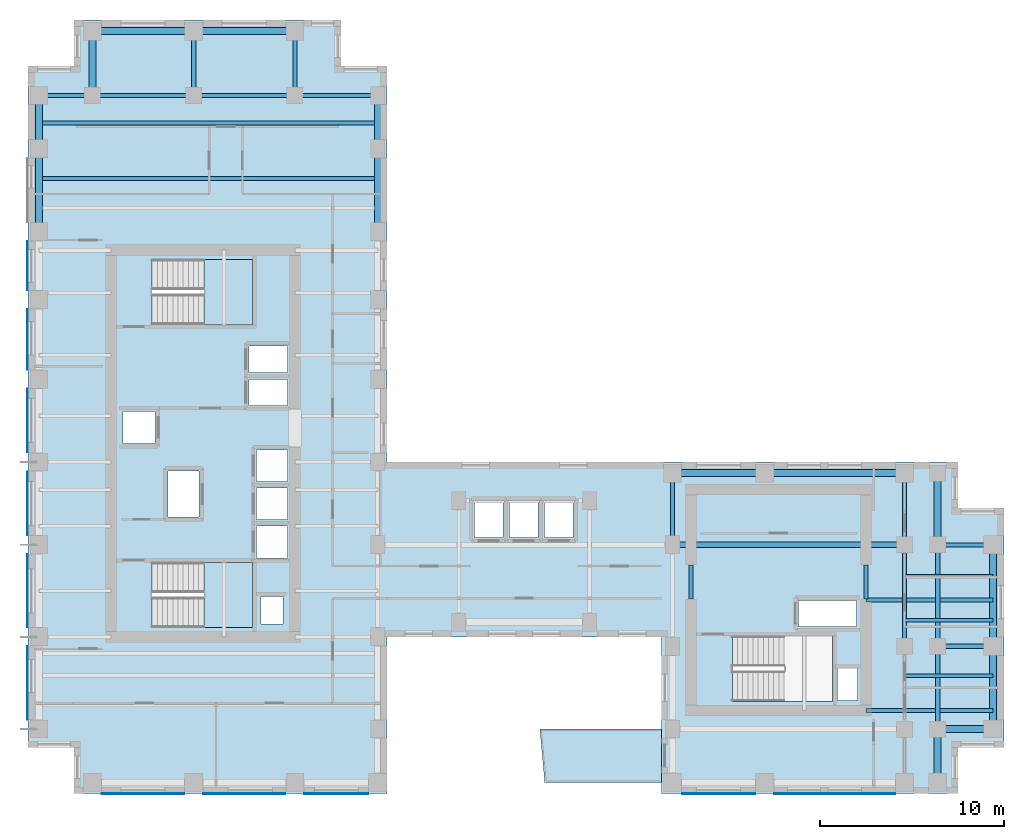
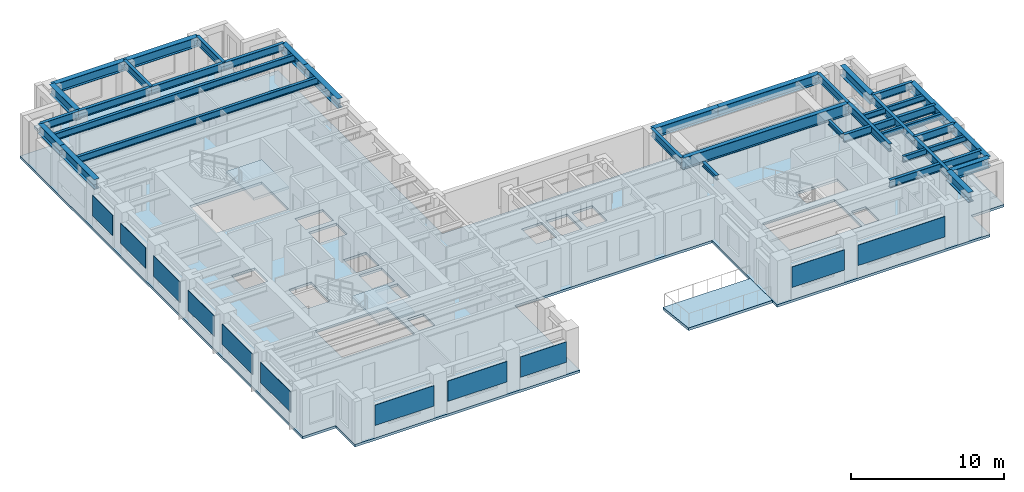
# One storey, part 2 of 12: 37 beams, 11 plates, 4 slabs, 2 elements without a shape of their own.
"""IFC4 building model written with IfcOpenShell, lengths in metres."""

import ifcopenshell
import ifcopenshell.guid

model = None  # the IFC model being written
_history = None  # IfcOwnerHistory: only IFC2X3 demands one
_inside = {}  # id of a spatial element -> (the spatial element, [elements in it])
_under = {}  # id of a project, library or spatial element -> (it, [spatial elements below it])
_declared = {}  # id of a project -> (the project, [libraries it declares])
_typed = {}  # id of a type object -> (the type object, [elements of that type])
_made_of = {}  # id of a material, layer set ... -> (it, [elements and type objects made of it])


def new_model(schema):
    """Start an empty IFC model of exactly this schema.

    Asked for "IFC4X3", IfcOpenShell would pick the latest addendum, in which some entities
    have other attributes; the version numbers below select the first issue.
    IFC2X3 requires an IfcOwnerHistory on every rooted entity: one is made here for all.
    """
    global model, _history
    if schema == "IFC4X3":
        model = ifcopenshell.file(schema_version=(4, 3, 0, 0))
    else:
        model = ifcopenshell.file(schema=schema)
    _inside.clear()
    _under.clear()
    _declared.clear()
    _typed.clear()
    _made_of.clear()
    _history = None
    if model.schema == "IFC2X3":
        org = make("IfcOrganization", Name="unknown")
        user = make(
            "IfcPersonAndOrganization",
            ThePerson=make("IfcPerson", FamilyName="unknown"),
            TheOrganization=org,
        )
        app = make(
            "IfcApplication",
            ApplicationDeveloper=org,
            Version="unknown",
            ApplicationFullName="unknown",
            ApplicationIdentifier="unknown",
        )
        _history = make(
            "IfcOwnerHistory",
            OwningUser=user,
            OwningApplication=app,
            ChangeAction="ADDED",
            CreationDate=0,
        )
    return model


def make(cls, **values):
    """One entity of the class cls with the attributes given. An attribute that is None is left unset."""
    return model.create_entity(
        cls, **{name: value for name, value in values.items() if value is not None}
    )


def rooted(cls, **values):
    """An entity with a GlobalId (a new one), such as an element, a storey or a relation."""
    return make(cls, GlobalId=ifcopenshell.guid.new(), OwnerHistory=_history, **values)


def si_unit(unit_type, name, prefix=None):
    """IfcSIUnit, for example si_unit("LENGTHUNIT", "METRE", prefix="MILLI")."""
    return make("IfcSIUnit", UnitType=unit_type, Prefix=prefix, Name=name)


def assignment(units):
    """IfcUnitAssignment: the units of a project."""
    return None if units is None else make("IfcUnitAssignment", Units=units)


def point(xyz):
    """IfcCartesianPoint."""
    return None if xyz is None else make("IfcCartesianPoint", Coordinates=xyz)


def direction(xyz):
    """IfcDirection."""
    return None if xyz is None else make("IfcDirection", DirectionRatios=xyz)


def frame(location, z_axis=None, x_axis=None):
    """IfcAxis2Placement3D, a coordinate frame: its origin and axes. An axis left out is left unset."""
    return make(
        "IfcAxis2Placement3D",
        Location=point(location),
        Axis=direction(z_axis),
        RefDirection=direction(x_axis),
    )


def frame_2d(location, x_axis=None):
    """IfcAxis2Placement2D, a coordinate frame in the plane: its origin and x axis."""
    return make(
        "IfcAxis2Placement2D", Location=point(location), RefDirection=direction(x_axis)
    )


def origin():
    """The frame at (0, 0, 0) with its axes left unset."""
    return frame((0.0, 0.0, 0.0))


def origin_2d():
    """The frame at (0, 0) in the plane with its x axis left unset."""
    return frame_2d((0.0, 0.0))


def place(relative_to, where):
    """IfcLocalPlacement: puts the frame where relative to a parent placement (None: the world)."""
    return make(
        "IfcLocalPlacement", PlacementRelTo=relative_to, RelativePlacement=where
    )


def context(
    kind, dimensions, precision=None, world=None, true_north=None, identifier=None
):
    """IfcGeometricRepresentationContext, for example the 3D "Model" context."""
    return make(
        "IfcGeometricRepresentationContext",
        ContextIdentifier=identifier,
        ContextType=kind,
        CoordinateSpaceDimension=dimensions,
        Precision=precision,
        WorldCoordinateSystem=world,
        TrueNorth=true_north,
    )


def subcontext(parent, identifier, kind, view, scale=None):
    """IfcGeometricRepresentationSubContext, for example "Body" below "Model"."""
    return make(
        "IfcGeometricRepresentationSubContext",
        ContextIdentifier=identifier,
        ContextType=kind,
        ParentContext=parent,
        TargetScale=scale,
        TargetView=view,
    )


def project(units=None, contexts=None):
    """IfcProject with its units and contexts."""
    return rooted(
        "IfcProject",
        Name="project",
        RepresentationContexts=contexts,
        UnitsInContext=assignment(units),
    )


def spatial(cls, under=None, at=None, **own):
    """A site, building, storey or space (cls), placed at a placement, below another one or the project."""
    s = rooted(cls, ObjectPlacement=at, **own)
    if under is not None:
        _under.setdefault(under.id(), (under, []))[1].append(s)
    return s


def polyline(points):
    """IfcPolyline through the points."""
    return make("IfcPolyline", Points=[point(p) for p in points])


def profile(cls, at=None, kind="AREA", **sizes):
    """A parametric profile (cls). Its sizes go by their IFC names, for example OverallWidth=200.0."""
    return make(cls, ProfileType=kind, Position=at, **sizes)


def rectangle(**sizes):
    """IfcRectangleProfileDef."""
    return profile("IfcRectangleProfileDef", **sizes)


def i_section(**sizes):
    """IfcIShapeProfileDef."""
    return profile("IfcIShapeProfileDef", **sizes)


def outline(outer, holes=None, kind="AREA"):
    """IfcArbitraryClosedProfileDef: a profile drawn as a closed curve; with holes, ...WithVoids."""
    if holes is None:
        return make("IfcArbitraryClosedProfileDef", ProfileType=kind, OuterCurve=outer)
    return make(
        "IfcArbitraryProfileDefWithVoids",
        ProfileType=kind,
        OuterCurve=outer,
        InnerCurves=holes,
    )


def extrude(swept, where, along, depth):
    """IfcExtrudedAreaSolid: the profile swept, set in the frame where, extruded along a direction by depth."""
    return make(
        "IfcExtrudedAreaSolid",
        SweptArea=swept,
        Position=where,
        ExtrudedDirection=direction(along),
        Depth=depth,
    )


def shape(context_of_items, identifier, shape_type, items):
    """IfcShapeRepresentation: the items that make up one representation, for example the "Body"."""
    return make(
        "IfcShapeRepresentation",
        ContextOfItems=context_of_items,
        RepresentationIdentifier=identifier,
        RepresentationType=shape_type,
        Items=items,
    )


def source(mapping_origin, context_of_items, identifier, shape_type, items):
    """IfcRepresentationMap: a shape defined once, which mapped items show again and again."""
    return make(
        "IfcRepresentationMap",
        MappingOrigin=mapping_origin,
        MappedRepresentation=shape(context_of_items, identifier, shape_type, items),
    )


def transform(
    local_origin,
    x_axis=None,
    y_axis=None,
    z_axis=None,
    scale=None,
    scale2=None,
    scale3=None,
    uniform=True,
):
    """IfcCartesianTransformationOperator3D, or its non-uniform kind. x_axis, y_axis, z_axis: its Axis1, 2, 3."""
    if uniform:
        return make(
            "IfcCartesianTransformationOperator3D",
            Axis1=direction(x_axis),
            Axis2=direction(y_axis),
            LocalOrigin=point(local_origin),
            Scale=scale,
            Axis3=direction(z_axis),
        )
    return make(
        "IfcCartesianTransformationOperator3DnonUniform",
        Axis1=direction(x_axis),
        Axis2=direction(y_axis),
        LocalOrigin=point(local_origin),
        Scale=scale,
        Axis3=direction(z_axis),
        Scale2=scale2,
        Scale3=scale3,
    )


def mapped(mapping_source, mapping_target):
    """IfcMappedItem: shows the shape of a source again, moved by a transform."""
    return make(
        "IfcMappedItem", MappingSource=mapping_source, MappingTarget=mapping_target
    )


def material(Name=None, Category=None):
    """IfcMaterial."""
    return make("IfcMaterial", Name=Name, Category=Category)


def layer(
    of_material, thickness, ventilated=None, Name=None, Category=None, Priority=None
):
    """IfcMaterialLayer: one layer of a wall or slab, of a material (None: an air gap)."""
    return make(
        "IfcMaterialLayer",
        Material=of_material,
        LayerThickness=thickness,
        IsVentilated=ventilated,
        Name=Name,
        Category=Category,
        Priority=Priority,
    )


def layer_set(layers, Name=None):
    """IfcMaterialLayerSet."""
    return make("IfcMaterialLayerSet", MaterialLayers=layers, LayerSetName=Name)


def material_profile(
    of_material, cross_section, Name=None, Category=None, Priority=None
):
    """IfcMaterialProfile: a cross section and its material."""
    return make(
        "IfcMaterialProfile",
        Name=Name,
        Material=of_material,
        Profile=cross_section,
        Priority=Priority,
        Category=Category,
    )


def profile_set(profiles, Name=None, composite=None):
    """IfcMaterialProfileSet."""
    return make(
        "IfcMaterialProfileSet",
        Name=Name,
        MaterialProfiles=profiles,
        CompositeProfile=composite,
    )


def made_of(thing, what):
    """Note that an element or type object is made of a material, layer set ...; save() writes the relation."""
    if what is not None:
        _made_of.setdefault(what.id(), (what, []))[1].append(thing)
    return thing


def type_object(cls, material=None, **own):
    """A type object (cls), such as IfcWallType, which elements share."""
    return made_of(rooted(cls, **own), material)


def element(
    cls,
    number,
    at=None,
    inside=None,
    cuts=None,
    type_object=None,
    material=None,
    context=None,
    identifier="Body",
    shape_type=None,
    held_by="IfcProductDefinitionShape",
    body=None,
    shapes=None,
    **own,
):
    """One element of the class cls, such as IfcWall. Its Tag is "e" and its number.

    at: its placement. inside: the storey or other place that contains it. cuts: it is an
    opening in that element (IfcRelVoidsElement). A single representation is given by context,
    identifier, shape_type and body (its items); several are given by shapes. held_by: the class
    of the entity that holds the representations. save() writes the other relations.
    """
    e = rooted(cls, Tag="e%d" % number, ObjectPlacement=at, **own)
    if body is not None:
        shapes = [shape(context, identifier, shape_type, body)]
    if shapes is not None:
        e.Representation = make(held_by, Representations=shapes)
    if inside is not None:
        _inside.setdefault(inside.id(), (inside, []))[1].append(e)
    if cuts is not None:
        rooted(
            "IfcRelVoidsElement", RelatingBuildingElement=cuts, RelatedOpeningElement=e
        )
    if type_object is not None:
        _typed.setdefault(type_object.id(), (type_object, []))[1].append(e)
    return made_of(e, material)


def aggregate(whole, parts):
    """IfcRelAggregates: a whole, such as a stair, and the parts it consists of."""
    return rooted("IfcRelAggregates", RelatingObject=whole, RelatedObjects=parts)


def save(model, path):
    """Write the relations noted so far, then the file.

    IfcRelAggregates (storeys below a building ...), IfcRelContainedInSpatialStructure (elements
    in a storey), IfcRelDefinesByType, IfcRelAssociatesMaterial and IfcRelDeclares: one each for
    every whole, place, type object, material and project.
    """
    for whole, parts in _under.values():
        aggregate(whole, parts)
    for where, things in _inside.values():
        rooted(
            "IfcRelContainedInSpatialStructure",
            RelatedElements=things,
            RelatingStructure=where,
        )
    for kind, things in _typed.values():
        rooted("IfcRelDefinesByType", RelatedObjects=things, RelatingType=kind)
    for what, things in _made_of.values():
        rooted("IfcRelAssociatesMaterial", RelatedObjects=things, RelatingMaterial=what)
    for by, libraries in _declared.values():
        rooted("IfcRelDeclares", RelatingContext=by, RelatedDefinitions=libraries)
    model.write(path)


model = new_model("IFC4")

# Units and contexts
model_context = context("Model", 3, precision=1e-05, world=origin(), true_north=direction((0.0, 1.0)))
body_context = subcontext(model_context, "Body", "Model", "MODEL_VIEW")
ifc_project = project(units=[si_unit("LENGTHUNIT", "METRE"), si_unit("AREAUNIT", "SQUARE_METRE"), si_unit("VOLUMEUNIT", "CUBIC_METRE"), si_unit("PLANEANGLEUNIT", "RADIAN"), si_unit("MASSUNIT", "GRAM", prefix="KILO")], contexts=[model_context])

# Site, building, storey
site_placement = place(None, origin())
site = spatial("IfcSite", under=ifc_project, at=site_placement, CompositionType="ELEMENT")
building_placement = place(site_placement, origin())
building = spatial("IfcBuilding", under=site, at=building_placement, Name="Kharzan Plaza Tower", CompositionType="ELEMENT")
storey_placement = place(building_placement, frame((0.0, 0.0, 179.10009765625)))
storey = spatial("IfcBuildingStorey", under=building, at=storey_placement, Name="L48", CompositionType="ELEMENT", Elevation=179.10009765625)

# Beams
ifc_material_1 = material(Name="Steel S355", Category="steel")
ifc_material_profile_1 = material_profile(ifc_material_1, i_section(OverallWidth=0.205078125, OverallDepth=0.35400390625, WebThickness=0.009521484375, FlangeThickness=0.016845703125, at=origin_2d()), Name="W360x79")
ifc_profile_set_1 = profile_set([ifc_material_profile_1], Name="Steel S355")
beam_type_1 = type_object("IfcBeamType", Name="BM-LNT360", PredefinedType="LINTEL", material=ifc_profile_set_1)
shared_shape_1 = source(origin(), body_context, "Body", "SweptSolid", [
    extrude(i_section(OverallWidth=0.205078125, OverallDepth=0.35400390625, WebThickness=0.009521484375, FlangeThickness=0.016845703125, at=origin_2d()), origin(), (0.0, 0.0, 1.0), 1.849853515625),
])
for number, where, z_axis, x_axis, name in (
    (1, (45.5, 10.550048828125, 3.222900390625), (0.0, 1.0, 0.0), (-1.0, 0.0, 0.0), "L48 CORE-B coupling lintel LN1-WE"),
    (2, (36.0, 10.550048828125, 3.222900390625), (0.0, 1.0, 0.0), (-1.0, 0.0, 0.0), "L48 CORE-B coupling lintel LN1-WW"),
):
    element("IfcBeam", number, at=place(storey_placement, frame(where, z_axis=z_axis, x_axis=x_axis)), inside=storey, type_object=beam_type_1, Name=name, PredefinedType="LINTEL", context=body_context, shape_type="MappedRepresentation", body=[
        mapped(shared_shape_1, transform((0.0, 0.0, 0.0), x_axis=(1.0, 0.0, 0.0), y_axis=(0.0, 1.0, 0.0), z_axis=(0.0, 0.0, 1.0))),
    ])
ifc_material_profile_2 = material_profile(ifc_material_1, i_section(OverallWidth=0.304931640625, OverallDepth=0.9189453125, WebThickness=0.017333984375, FlangeThickness=0.02783203125, at=origin_2d()), Name="W920x253")
ifc_profile_set_2 = profile_set([ifc_material_profile_2], Name="Steel S355")
beam_type_2 = type_object("IfcBeamType", Name="BM-FG920B", PredefinedType="BEAM", material=ifc_profile_set_2)
shared_shape_2 = source(origin(), body_context, "Body", "SweptSolid", [
    extrude(i_section(OverallWidth=0.304931640625, OverallDepth=0.9189453125, WebThickness=0.017333984375, FlangeThickness=0.02783203125, at=origin_2d()), origin(), (0.0, 0.0, 1.0), 12.60009765625),
])
beam_1_placement = place(storey_placement, frame((35.0, 13.5, 2.9404296875), z_axis=(1.0, 0.0, 0.0), x_axis=(0.0, 1.0, 0.0)))
element("IfcBeam", 3, at=beam_1_placement, inside=storey, type_object=beam_type_2, Name="L48 Primary Floor Girder", PredefinedType="BEAM", context=body_context, shape_type="MappedRepresentation", body=[
    mapped(shared_shape_2, transform((0.0, 0.0, 0.0), x_axis=(1.0, 0.0, 0.0), y_axis=(0.0, 1.0, 0.0), z_axis=(0.0, 0.0, 1.0))),
])
ifc_material_profile_3 = material_profile(ifc_material_1, i_section(OverallWidth=0.2099609375, OverallDepth=0.537109375, WebThickness=0.010986328125, FlangeThickness=0.017333984375, at=origin_2d()), Name="W530x101")
ifc_profile_set_3 = profile_set([ifc_material_profile_3], Name="Steel S355")
beam_type_3 = type_object("IfcBeamType", Name="BM-JST530B", PredefinedType="JOIST", material=ifc_profile_set_3)
shared_shape_3 = source(origin(), body_context, "Body", "SweptSolid", [
    extrude(i_section(OverallWidth=0.2099609375, OverallDepth=0.537109375, WebThickness=0.010986328125, FlangeThickness=0.017333984375, at=origin_2d()), origin(), (0.0, 0.0, 1.0), 18.39990234375),
])
for number, where, z_axis, x_axis, name in (
    (4, (0.60009765625, 33.39990234375, 3.13134765625), (1.0, 0.0, 0.0), (0.0, 1.0, 0.0), "L48 Wing A Composite Joist 05"),
    (5, (0.60009765625, 36.39990234375, 3.13134765625), (1.0, 0.0, 0.0), (0.0, 1.0, 0.0), "L48 Wing A Composite Joist 06"),
):
    element("IfcBeam", number, at=place(storey_placement, frame(where, z_axis=z_axis, x_axis=x_axis)), inside=storey, type_object=beam_type_3, Name=name, PredefinedType="JOIST", context=body_context, shape_type="MappedRepresentation", body=[
        mapped(shared_shape_3, transform((0.0, 0.0, 0.0), x_axis=(1.0, 0.0, 0.0), y_axis=(0.0, 1.0, 0.0), z_axis=(0.0, 0.0, 1.0))),
    ])
ifc_material_profile_4 = material_profile(ifc_material_1, i_section(OverallWidth=0.22900390625, OverallDepth=0.612060546875, WebThickness=0.011962890625, FlangeThickness=0.01953125, at=origin_2d()), Name="W610x125")
ifc_profile_set_4 = profile_set([ifc_material_profile_4], Name="Steel S355")
beam_type_4 = type_object("IfcBeamType", Name="BM-FG610B", PredefinedType="BEAM", material=ifc_profile_set_4)
shared_shape_4 = source(origin(), body_context, "Body", "SweptSolid", [
    extrude(i_section(OverallWidth=0.22900390625, OverallDepth=0.612060546875, WebThickness=0.011962890625, FlangeThickness=0.01953125, at=origin_2d()), origin(), (0.0, 0.0, 1.0), 4.5),
])
for number, where, z_axis, x_axis, name in (
    (6, (49.39990234375, 3.5, 3.093994140625), (0.0, 1.0, 0.0), (-1.0, 0.0, 0.0), "L48 Interior Frame Girder"),
    (7, (14.5, 37.89990234375, 3.093994140625), (1.0, 0.0, 0.0), (0.0, 1.0, 0.0), "L48 Primary Floor Girder"),
):
    element("IfcBeam", number, at=place(storey_placement, frame(where, z_axis=z_axis, x_axis=x_axis)), inside=storey, type_object=beam_type_4, Name=name, PredefinedType="BEAM", context=body_context, shape_type="MappedRepresentation", body=[
        mapped(shared_shape_4, transform((0.0, 0.0, 0.0), x_axis=(1.0, 0.0, 0.0), y_axis=(0.0, 1.0, 0.0), z_axis=(0.0, 0.0, 1.0))),
    ])
shared_shape_5 = source(origin(), body_context, "Body", "SweptSolid", [
    extrude(i_section(OverallWidth=0.22900390625, OverallDepth=0.612060546875, WebThickness=0.011962890625, FlangeThickness=0.01953125, at=origin_2d()), origin(), (0.0, 0.0, 1.0), 3.89990234375),
])
for number, where, z_axis, x_axis, name in (
    (8, (35.0, 13.5, 3.093994140625), (0.0, 1.0, 0.0), (-1.0, 0.0, 0.0), "L48 Interior Frame Girder"),
    (9, (47.60009765625, 13.5, 3.093994140625), (0.0, 1.0, 0.0), (-1.0, 0.0, 0.0), "L48 Interior Frame Girder"),
):
    element("IfcBeam", number, at=place(storey_placement, frame(where, z_axis=z_axis, x_axis=x_axis)), inside=storey, type_object=beam_type_4, Name=name, PredefinedType="BEAM", context=body_context, shape_type="MappedRepresentation", body=[
        mapped(shared_shape_5, transform((0.0, 0.0, 0.0), x_axis=(1.0, 0.0, 0.0), y_axis=(0.0, 1.0, 0.0), z_axis=(0.0, 0.0, 1.0))),
    ])
shared_shape_6 = source(origin(), body_context, "Body", "SweptSolid", [
    extrude(i_section(OverallWidth=0.22900390625, OverallDepth=0.612060546875, WebThickness=0.011962890625, FlangeThickness=0.01953125, at=origin_2d()), origin(), (0.0, 0.0, 1.0), 6.89990234375),
])
for number, where, z_axis, x_axis, name in (
    (10, (45.5, 4.5, 3.093994140625), (1.0, 0.0, 0.0), (0.0, 1.0, 0.0), "L48 Core-B East Floor Girder 1"),
    (11, (45.5, 10.5, 3.093994140625), (1.0, 0.0, 0.0), (0.0, 1.0, 0.0), "L48 Core-B East Floor Girder 2"),
):
    element("IfcBeam", number, at=place(storey_placement, frame(where, z_axis=z_axis, x_axis=x_axis)), inside=storey, type_object=beam_type_4, Name=name, PredefinedType="BEAM", context=body_context, shape_type="MappedRepresentation", body=[
        mapped(shared_shape_6, transform((0.0, 0.0, 0.0), x_axis=(1.0, 0.0, 0.0), y_axis=(0.0, 1.0, 0.0), z_axis=(0.0, 0.0, 1.0))),
    ])
shared_shape_7 = source(origin(), body_context, "Body", "SweptSolid", [
    extrude(i_section(OverallWidth=0.22900390625, OverallDepth=0.612060546875, WebThickness=0.011962890625, FlangeThickness=0.01953125, at=origin_2d()), origin(), (0.0, 0.0, 1.0), 3.5),
])
for number, where, z_axis, x_axis, name in (
    (12, (9.0, 37.89990234375, 3.093994140625), (0.0, 1.0, 0.0), (-1.0, 0.0, 0.0), "L48 Interior Frame Girder"),
    (13, (14.5, 37.89990234375, 3.093994140625), (0.0, 1.0, 0.0), (-1.0, 0.0, 0.0), "L48 Interior Frame Girder"),
):
    element("IfcBeam", number, at=place(storey_placement, frame(where, z_axis=z_axis, x_axis=x_axis)), inside=storey, type_object=beam_type_4, Name=name, PredefinedType="BEAM", context=body_context, shape_type="MappedRepresentation", body=[
        mapped(shared_shape_7, transform((0.0, 0.0, 0.0), x_axis=(1.0, 0.0, 0.0), y_axis=(0.0, 1.0, 0.0), z_axis=(0.0, 0.0, 1.0))),
    ])
shared_shape_8 = source(origin(), body_context, "Body", "SweptSolid", [
    extrude(i_section(OverallWidth=0.22900390625, OverallDepth=0.612060546875, WebThickness=0.011962890625, FlangeThickness=0.01953125, at=origin_2d()), origin(), (0.0, 0.0, 1.0), 5.5),
])
for number, where, z_axis, x_axis, name in (
    (14, (47.60009765625, 8.0, 3.093994140625), (0.0, 1.0, 0.0), (-1.0, 0.0, 0.0), "L48 Interior Frame Girder"),
    (15, (49.39990234375, 8.0, 3.093994140625), (0.0, 1.0, 0.0), (-1.0, 0.0, 0.0), "L48 Interior Frame Girder"),
    (16, (3.5, 37.89990234375, 3.093994140625), (1.0, 0.0, 0.0), (0.0, 1.0, 0.0), "L48 Primary Floor Girder"),
    (17, (9.0, 37.89990234375, 3.093994140625), (1.0, 0.0, 0.0), (0.0, 1.0, 0.0), "L48 Primary Floor Girder"),
):
    element("IfcBeam", number, at=place(storey_placement, frame(where, z_axis=z_axis, x_axis=x_axis)), inside=storey, type_object=beam_type_4, Name=name, PredefinedType="BEAM", context=body_context, shape_type="MappedRepresentation", body=[
        mapped(shared_shape_8, transform((0.0, 0.0, 0.0), x_axis=(1.0, 0.0, 0.0), y_axis=(0.0, 1.0, 0.0), z_axis=(0.0, 0.0, 1.0))),
    ])
shared_shape_9 = source(origin(), body_context, "Body", "SweptSolid", [
    extrude(i_section(OverallWidth=0.22900390625, OverallDepth=0.612060546875, WebThickness=0.011962890625, FlangeThickness=0.01953125, at=origin_2d()), origin(), (0.0, 0.0, 1.0), 2.89990234375),
])
beam_2_placement = place(storey_placement, frame((0.60009765625, 37.89990234375, 3.093994140625), z_axis=(1.0, 0.0, 0.0), x_axis=(0.0, 1.0, 0.0)))
element("IfcBeam", 18, at=beam_2_placement, inside=storey, type_object=beam_type_4, Name="L48 Primary Floor Girder", PredefinedType="BEAM", context=body_context, shape_type="MappedRepresentation", body=[
    mapped(shared_shape_9, transform((0.0, 0.0, 0.0), x_axis=(1.0, 0.0, 0.0), y_axis=(0.0, 1.0, 0.0), z_axis=(0.0, 0.0, 1.0))),
])
shared_shape_10 = source(origin(), body_context, "Body", "SweptSolid", [
    extrude(i_section(OverallWidth=0.22900390625, OverallDepth=0.612060546875, WebThickness=0.011962890625, FlangeThickness=0.01953125, at=origin_2d()), origin(), (0.0, 0.0, 1.0), 3.0),
])
for number, where, z_axis, x_axis, name in (
    (19, (49.39990234375, 8.0, 3.093994140625), (1.0, 0.0, 0.0), (0.0, 1.0, 0.0), "L48 Primary Floor Girder"),
    (20, (49.39990234375, 13.5, 3.093994140625), (1.0, 0.0, 0.0), (0.0, 1.0, 0.0), "L48 Primary Floor Girder"),
):
    element("IfcBeam", number, at=place(storey_placement, frame(where, z_axis=z_axis, x_axis=x_axis)), inside=storey, type_object=beam_type_4, Name=name, PredefinedType="BEAM", context=body_context, shape_type="MappedRepresentation", body=[
        mapped(shared_shape_10, transform((0.0, 0.0, 0.0), x_axis=(1.0, 0.0, 0.0), y_axis=(0.0, 1.0, 0.0), z_axis=(0.0, 0.0, 1.0))),
    ])
ifc_material_profile_5 = material_profile(ifc_material_1, i_section(OverallWidth=0.194091796875, OverallDepth=0.468994140625, WebThickness=0.011474609375, FlangeThickness=0.0205078125, at=origin_2d()), Name="W460x106")
ifc_profile_set_5 = profile_set([ifc_material_profile_5], Name="Steel S355")
beam_type_5 = type_object("IfcBeamType", Name="BM-JST460", PredefinedType="JOIST", material=ifc_profile_set_5)
shared_shape_11 = source(origin(), body_context, "Body", "SweptSolid", [
    extrude(i_section(OverallWidth=0.194091796875, OverallDepth=0.468994140625, WebThickness=0.011474609375, FlangeThickness=0.0205078125, at=origin_2d()), origin(), (0.0, 0.0, 1.0), 4.7998046875),
])
for number, where, z_axis, x_axis, name in (
    (21, (47.60009765625, 6.39990234375, 3.165283203125), (1.0, 0.0, 0.0), (0.0, 1.0, 0.0), "L48 Wing B Composite Joist 02"),
    (22, (47.60009765625, 9.39990234375, 3.165283203125), (1.0, 0.0, 0.0), (0.0, 1.0, 0.0), "L48 Wing B Composite Joist 03"),
    (23, (47.60009765625, 11.800048828125, 3.165283203125), (1.0, 0.0, 0.0), (0.0, 1.0, 0.0), "L48 Wing B Composite Joist 04"),
):
    element("IfcBeam", number, at=place(storey_placement, frame(where, z_axis=z_axis, x_axis=x_axis)), inside=storey, type_object=beam_type_5, Name=name, PredefinedType="JOIST", context=body_context, shape_type="MappedRepresentation", body=[
        mapped(shared_shape_11, transform((0.0, 0.0, 0.0), x_axis=(1.0, 0.0, 0.0), y_axis=(0.0, 1.0, 0.0), z_axis=(0.0, 0.0, 1.0))),
    ])
ifc_material_profile_6 = material_profile(ifc_material_1, i_section(OverallWidth=0.381103515625, OverallDepth=0.77294921875, WebThickness=0.0166015625, FlangeThickness=0.027587890625, at=origin_2d()), Name="W760x257")
ifc_profile_set_6 = profile_set([ifc_material_profile_6], Name="Steel S355")
beam_type_6 = type_object("IfcBeamType", Name="BM-SP760A", PredefinedType="SPANDREL", material=ifc_profile_set_6)
shared_shape_12 = source(origin(), body_context, "Body", "SweptSolid", [
    extrude(i_section(OverallWidth=0.381103515625, OverallDepth=0.77294921875, WebThickness=0.0166015625, FlangeThickness=0.027587890625, at=origin_2d()), origin(), (0.0, 0.0, 1.0), 5.0),
])
beam_3_placement = place(storey_placement, frame((35.0, 17.39990234375, 3.013427734375), z_axis=(1.0, 0.0, 0.0), x_axis=(0.0, 1.0, 0.0)))
element("IfcBeam", 24, at=beam_3_placement, inside=storey, type_object=beam_type_6, Name="L48 Perimeter Tube Spandrel", PredefinedType="SPANDREL", context=body_context, shape_type="MappedRepresentation", body=[
    mapped(shared_shape_12, transform((0.0, 0.0, 0.0), x_axis=(1.0, 0.0, 0.0), y_axis=(0.0, 1.0, 0.0), z_axis=(0.0, 0.0, 1.0))),
])
shared_shape_13 = source(origin(), body_context, "Body", "SweptSolid", [
    extrude(i_section(OverallWidth=0.381103515625, OverallDepth=0.77294921875, WebThickness=0.0166015625, FlangeThickness=0.027587890625, at=origin_2d()), origin(), (0.0, 0.0, 1.0), 4.5),
])
for number, where, z_axis, x_axis, name in (
    (25, (0.60009765625, 30.5, 3.013427734375), (0.0, 1.0, 0.0), (-1.0, 0.0, 0.0), "L48 Perimeter Tube Spandrel"),
    (26, (19.0, 30.5, 3.013427734375), (0.0, 1.0, 0.0), (-1.0, 0.0, 0.0), "L48 Perimeter Tube Spandrel"),
    (27, (52.39990234375, 3.5, 3.013427734375), (0.0, 1.0, 0.0), (-1.0, 0.0, 0.0), "L48 Perimeter Tube Spandrel"),
):
    element("IfcBeam", number, at=place(storey_placement, frame(where, z_axis=z_axis, x_axis=x_axis)), inside=storey, type_object=beam_type_6, Name=name, PredefinedType="SPANDREL", context=body_context, shape_type="MappedRepresentation", body=[
        mapped(shared_shape_13, transform((0.0, 0.0, 0.0), x_axis=(1.0, 0.0, 0.0), y_axis=(0.0, 1.0, 0.0), z_axis=(0.0, 0.0, 1.0))),
    ])
shared_shape_14 = source(origin(), body_context, "Body", "SweptSolid", [
    extrude(i_section(OverallWidth=0.381103515625, OverallDepth=0.77294921875, WebThickness=0.0166015625, FlangeThickness=0.027587890625, at=origin_2d()), origin(), (0.0, 0.0, 1.0), 2.89990234375),
])
for number, where, z_axis, x_axis, name in (
    (28, (0.60009765625, 35.0, 3.013427734375), (0.0, 1.0, 0.0), (-1.0, 0.0, 0.0), "L48 Perimeter Tube Spandrel"),
    (29, (19.0, 35.0, 3.013427734375), (0.0, 1.0, 0.0), (-1.0, 0.0, 0.0), "L48 Perimeter Tube Spandrel"),
    (30, (49.39990234375, 0.60009765625, 3.013427734375), (0.0, 1.0, 0.0), (-1.0, 0.0, 0.0), "L48 Perimeter Tube Spandrel"),
):
    element("IfcBeam", number, at=place(storey_placement, frame(where, z_axis=z_axis, x_axis=x_axis)), inside=storey, type_object=beam_type_6, Name=name, PredefinedType="SPANDREL", context=body_context, shape_type="MappedRepresentation", body=[
        mapped(shared_shape_14, transform((0.0, 0.0, 0.0), x_axis=(1.0, 0.0, 0.0), y_axis=(0.0, 1.0, 0.0), z_axis=(0.0, 0.0, 1.0))),
    ])
shared_shape_15 = source(origin(), body_context, "Body", "SweptSolid", [
    extrude(i_section(OverallWidth=0.381103515625, OverallDepth=0.77294921875, WebThickness=0.0166015625, FlangeThickness=0.027587890625, at=origin_2d()), origin(), (0.0, 0.0, 1.0), 3.5),
])
beam_4_placement = place(storey_placement, frame((3.5, 37.89990234375, 3.013427734375), z_axis=(0.0, 1.0, 0.0), x_axis=(-1.0, 0.0, 0.0)))
element("IfcBeam", 31, at=beam_4_placement, inside=storey, type_object=beam_type_6, Name="L48 Perimeter Tube Spandrel", PredefinedType="SPANDREL", context=body_context, shape_type="MappedRepresentation", body=[
    mapped(shared_shape_15, transform((0.0, 0.0, 0.0), x_axis=(1.0, 0.0, 0.0), y_axis=(0.0, 1.0, 0.0), z_axis=(0.0, 0.0, 1.0))),
])
shared_shape_16 = source(origin(), body_context, "Body", "SweptSolid", [
    extrude(i_section(OverallWidth=0.381103515625, OverallDepth=0.77294921875, WebThickness=0.0166015625, FlangeThickness=0.027587890625, at=origin_2d()), origin(), (0.0, 0.0, 1.0), 3.89990234375),
])
beam_5_placement = place(storey_placement, frame((49.39990234375, 13.5, 3.013427734375), z_axis=(0.0, 1.0, 0.0), x_axis=(-1.0, 0.0, 0.0)))
element("IfcBeam", 32, at=beam_5_placement, inside=storey, type_object=beam_type_6, Name="L48 Perimeter Tube Spandrel", PredefinedType="SPANDREL", context=body_context, shape_type="MappedRepresentation", body=[
    mapped(shared_shape_16, transform((0.0, 0.0, 0.0), x_axis=(1.0, 0.0, 0.0), y_axis=(0.0, 1.0, 0.0), z_axis=(0.0, 0.0, 1.0))),
])
shared_shape_17 = source(origin(), body_context, "Body", "SweptSolid", [
    extrude(i_section(OverallWidth=0.381103515625, OverallDepth=0.77294921875, WebThickness=0.0166015625, FlangeThickness=0.027587890625, at=origin_2d()), origin(), (0.0, 0.0, 1.0), 5.5),
])
for number, where, z_axis, x_axis, name in (
    (33, (52.39990234375, 8.0, 3.013427734375), (0.0, 1.0, 0.0), (-1.0, 0.0, 0.0), "L48 Perimeter Tube Spandrel"),
    (34, (3.5, 41.39990234375, 3.013427734375), (1.0, 0.0, 0.0), (0.0, 1.0, 0.0), "L48 Perimeter Tube Spandrel"),
    (35, (9.0, 41.39990234375, 3.013427734375), (1.0, 0.0, 0.0), (0.0, 1.0, 0.0), "L48 Perimeter Tube Spandrel"),
):
    element("IfcBeam", number, at=place(storey_placement, frame(where, z_axis=z_axis, x_axis=x_axis)), inside=storey, type_object=beam_type_6, Name=name, PredefinedType="SPANDREL", context=body_context, shape_type="MappedRepresentation", body=[
        mapped(shared_shape_17, transform((0.0, 0.0, 0.0), x_axis=(1.0, 0.0, 0.0), y_axis=(0.0, 1.0, 0.0), z_axis=(0.0, 0.0, 1.0))),
    ])
shared_shape_18 = source(origin(), body_context, "Body", "SweptSolid", [
    extrude(i_section(OverallWidth=0.381103515625, OverallDepth=0.77294921875, WebThickness=0.0166015625, FlangeThickness=0.027587890625, at=origin_2d()), origin(), (0.0, 0.0, 1.0), 7.60009765625),
])
beam_6_placement = place(storey_placement, frame((40.0, 17.39990234375, 3.013427734375), z_axis=(1.0, 0.0, 0.0), x_axis=(0.0, 1.0, 0.0)))
element("IfcBeam", 36, at=beam_6_placement, inside=storey, type_object=beam_type_6, Name="L48 Perimeter Tube Spandrel", PredefinedType="SPANDREL", context=body_context, shape_type="MappedRepresentation", body=[
    mapped(shared_shape_18, transform((0.0, 0.0, 0.0), x_axis=(1.0, 0.0, 0.0), y_axis=(0.0, 1.0, 0.0), z_axis=(0.0, 0.0, 1.0))),
])
shared_shape_19 = source(origin(), body_context, "Body", "SweptSolid", [
    extrude(i_section(OverallWidth=0.381103515625, OverallDepth=0.77294921875, WebThickness=0.0166015625, FlangeThickness=0.027587890625, at=origin_2d()), origin(), (0.0, 0.0, 1.0), 3.0),
])
beam_7_placement = place(storey_placement, frame((49.39990234375, 3.5, 3.013427734375), z_axis=(1.0, 0.0, 0.0), x_axis=(0.0, 1.0, 0.0)))
element("IfcBeam", 37, at=beam_7_placement, inside=storey, type_object=beam_type_6, Name="L48 Perimeter Tube Spandrel", PredefinedType="SPANDREL", context=body_context, shape_type="MappedRepresentation", body=[
    mapped(shared_shape_19, transform((0.0, 0.0, 0.0), x_axis=(1.0, 0.0, 0.0), y_axis=(0.0, 1.0, 0.0), z_axis=(0.0, 0.0, 1.0))),
])

# Slab
ifc_material_2 = material(Name="Concrete C40/50", Category="concrete")
ifc_layer_1 = layer(ifc_material_2, 0.199951171875)
ifc_layer_set_1 = layer_set([ifc_layer_1], Name="Concrete C40/50")
slab_type_1 = type_object("IfcSlabType", Name="SL-FLOOR-200", PredefinedType="FLOOR", material=ifc_layer_set_1)
slab_1_placement = place(storey_placement, frame((0.0, 0.0, -0.2001953125)))
element("IfcSlab", 38, at=slab_1_placement, inside=storey, type_object=slab_type_1, Name="L48 Composite Structural Floor Slab 200 mm", PredefinedType="FLOOR", context=body_context, shape_type="SweptSolid", body=[
    extrude(outline(polyline([(34.39990234375, 18.0), (19.5, 18.0), (19.5, 39.5), (17.0, 39.5), (17.0, 42.0), (2.5, 42.0), (2.5, 39.5), (0.0, 39.5), (0.0, 2.5), (2.5, 2.5), (2.5, 0.0), (19.5, 0.0), (19.5, 8.5), (34.39990234375, 8.5), (34.39990234375, 0.0), (50.5, 0.0), (50.5, 2.5), (53.0, 2.5), (53.0, 15.5), (50.5, 15.5), (50.5, 18.0), (34.39990234375, 18.0)]), holes=[polyline([(12.199951171875, 9.0), (12.199951171875, 12.550048828125), (6.75, 12.550048828125), (6.75, 9.0), (12.199951171875, 9.0)]), polyline([(14.10009765625, 12.800048828125), (14.10009765625, 14.530029296875), (12.39990234375, 14.530029296875), (12.39990234375, 12.800048828125), (14.10009765625, 12.800048828125)]), polyline([(14.10009765625, 14.8701171875), (14.10009765625, 16.60009765625), (12.39990234375, 16.60009765625), (12.39990234375, 14.8701171875), (14.10009765625, 14.8701171875)]), polyline([(9.300048828125, 15.0), (9.300048828125, 17.5), (7.60009765625, 17.5), (7.60009765625, 15.0), (9.300048828125, 15.0)]), polyline([(6.89990234375, 19.010009765625), (6.89990234375, 20.72998046875), (5.14990234375, 20.72998046875), (5.14990234375, 19.010009765625), (6.89990234375, 19.010009765625)]), polyline([(14.10009765625, 21.070068359375), (14.10009765625, 22.489990234375), (12.0, 22.489990234375), (12.0, 21.070068359375), (14.10009765625, 21.070068359375)]), polyline([(14.10009765625, 22.8701171875), (14.10009765625, 24.2900390625), (12.0, 24.2900390625), (12.0, 22.8701171875), (14.10009765625, 22.8701171875)]), polyline([(12.199951171875, 25.449951171875), (12.199951171875, 29.0), (6.75, 29.0), (6.75, 25.449951171875), (12.199951171875, 25.449951171875)]), polyline([(45.050048828125, 5.050048828125), (45.050048828125, 6.800048828125), (43.949951171875, 6.800048828125), (43.949951171875, 5.050048828125), (45.050048828125, 5.050048828125)]), polyline([(43.699951171875, 5.0), (43.699951171875, 8.550048828125), (38.25, 8.550048828125), (38.25, 5.0), (43.699951171875, 5.0)]), polyline([(45.0, 9.070068359375), (45.0, 10.469970703125), (41.85009765625, 10.469970703125), (41.85009765625, 9.070068359375), (45.0, 9.070068359375)]), polyline([(13.85009765625, 9.199951171875), (13.85009765625, 10.699951171875), (12.64990234375, 10.699951171875), (12.64990234375, 9.199951171875), (13.85009765625, 9.199951171875)]), polyline([(25.800048828125, 13.89990234375), (25.800048828125, 15.85009765625), (24.25, 15.85009765625), (24.25, 13.89990234375), (25.800048828125, 13.89990234375)]), polyline([(27.699951171875, 13.89990234375), (27.699951171875, 15.85009765625), (26.14990234375, 15.85009765625), (26.14990234375, 13.89990234375), (27.699951171875, 13.89990234375)]), polyline([(29.60009765625, 13.89990234375), (29.60009765625, 15.85009765625), (28.050048828125, 15.85009765625), (28.050048828125, 13.89990234375), (29.60009765625, 13.89990234375)]), polyline([(14.10009765625, 16.93994140625), (14.10009765625, 18.64990234375), (12.39990234375, 18.64990234375), (12.39990234375, 16.93994140625), (14.10009765625, 16.93994140625)])]), origin(), (0.0, 0.0, 1.0), 0.2001953125),
])

# Stair, slab
stair_type_1 = type_object("IfcStairType", Name="STR-ST-1", PredefinedType="HALF_TURN_STAIR", material=ifc_material_2)
stair_1_placement = place(storey_placement, origin())
stair_1 = element("IfcStair", 39, at=stair_1_placement, inside=storey, type_object=stair_type_1, Name="L48 Protected Exit Stair ST-1", PredefinedType="HALF_TURN_STAIR")
ifc_layer_2 = layer(ifc_material_2, 0.219970703125)
ifc_layer_set_2 = layer_set([ifc_layer_2], Name="Concrete C40/50")
slab_type_2 = type_object("IfcSlabType", Name="SL-LANDING-220", PredefinedType="LANDING", material=ifc_layer_set_2)
slab_2_placement = place(storey_placement, frame((0.0, 0.0, 1.599853515625)))
slab_2 = element("IfcSlab", 40, at=slab_2_placement, type_object=slab_type_2, Name="ST-1 landing 1", PredefinedType="LANDING", context=body_context, shape_type="SweptSolid", body=[
    extrude(outline(polyline([(9.550048828125, 9.0), (12.199951171875, 9.0), (12.199951171875, 12.550048828125), (9.550048828125, 12.550048828125), (9.550048828125, 9.0)])), origin(), (0.0, 0.0, 1.0), 0.199951171875),
])
aggregate(stair_1, [slab_2])

stair_type_2 = type_object("IfcStairType", Name="STR-ST-2", PredefinedType="HALF_TURN_STAIR", material=ifc_material_2)
stair_2_placement = place(storey_placement, origin())
stair_2 = element("IfcStair", 41, at=stair_2_placement, inside=storey, type_object=stair_type_2, Name="L48 Protected Exit Stair ST-2", PredefinedType="HALF_TURN_STAIR")
slab_3_placement = place(storey_placement, frame((0.0, 0.0, 1.599853515625)))
slab_3 = element("IfcSlab", 42, at=slab_3_placement, type_object=slab_type_2, Name="ST-2 landing 1", PredefinedType="LANDING", context=body_context, shape_type="SweptSolid", body=[
    extrude(outline(polyline([(9.550048828125, 25.449951171875), (12.199951171875, 25.449951171875), (12.199951171875, 29.0), (9.550048828125, 29.0), (9.550048828125, 25.449951171875)])), origin(), (0.0, 0.0, 1.0), 0.199951171875),
])
aggregate(stair_2, [slab_3])

# Slab
ifc_layer_3 = layer(ifc_material_2, 0.215087890625)
ifc_layer_set_3 = layer_set([ifc_layer_3], Name="Concrete C40/50")
slab_type_3 = type_object("IfcSlabType", Name="SL-TRAY-215", PredefinedType="ROOF", material=ifc_layer_set_3)
slab_4_placement = place(storey_placement, frame((0.0, 0.0, -0.215087890625)))
element("IfcSlab", 43, at=slab_4_placement, inside=storey, type_object=slab_type_3, Name="L48 Sky Terrace Tray Slab", PredefinedType="ROOF", context=body_context, shape_type="SweptSolid", body=[
    extrude(outline(polyline([(28.06396484375, 0.60009765625), (34.39990234375, 0.60009765625), (34.39990234375, 3.5), (27.800048828125, 3.5), (28.06396484375, 0.60009765625)])), origin(), (0.0, 0.0, 1.0), 0.215087890625),
])

# Plates
ifc_material_3 = material(Name="Perforated Bronze-Anodized Aluminium", Category="aluminium")
ifc_layer_4 = layer(ifc_material_3, 0.030029296875)
ifc_layer_set_4 = layer_set([ifc_layer_4], Name="Perforated Bronze-Anodized Aluminium")
plate_type = type_object("IfcPlateType", Name="PLT-MASH-SCREEN", PredefinedType="SHEET", material=ifc_layer_set_4)
shared_shape_20 = source(origin(), body_context, "Body", "SweptSolid", [
    extrude(rectangle(XDim=3.464111328125, YDim=0.030029296875, at=origin_2d()), origin(), (0.0, 0.0, 1.0), 1.632080078125),
])
for number, where, z_axis, x_axis, name in (
    (44, (-0.012939453125, 20.25, 1.013671875), (0.0, 0.0, 1.0), (0.0, -1.0, 0.0), "L48 Perforated Mashrabiya Solar Screen"),
    (45, (-0.012939453125, 15.75, 1.013671875), (0.0, 0.0, 1.0), (0.0, -1.0, 0.0), "L48 Perforated Mashrabiya Solar Screen"),
    (46, (16.75, -0.012939453125, 1.013671875), (0.0, 0.0, 1.0), (1.0, 0.0, 0.0), "L48 Perforated Mashrabiya Solar Screen"),
):
    element("IfcPlate", number, at=place(storey_placement, frame(where, z_axis=z_axis, x_axis=x_axis)), inside=storey, type_object=plate_type, Name=name, PredefinedType="SHEET", context=body_context, shape_type="MappedRepresentation", body=[
        mapped(shared_shape_20, transform((0.0, 0.0, 0.0), x_axis=(1.0, 0.0, 0.0), y_axis=(0.0, 1.0, 0.0), z_axis=(0.0, 0.0, 1.0))),
    ])
shared_shape_21 = source(origin(), body_context, "Body", "SweptSolid", [
    extrude(rectangle(XDim=2.6640625, YDim=0.030029296875, at=origin_2d()), origin(), (0.0, 0.0, 1.0), 1.632080078125),
])
plate_1_placement = place(storey_placement, frame((-0.012939453125, 28.64990234375, 1.013671875), z_axis=(0.0, 0.0, 1.0), x_axis=(0.0, -1.0, 0.0)))
element("IfcPlate", 47, at=plate_1_placement, inside=storey, type_object=plate_type, Name="L48 Perforated Mashrabiya Solar Screen", PredefinedType="SHEET", context=body_context, shape_type="MappedRepresentation", body=[
    mapped(shared_shape_21, transform((0.0, 0.0, 0.0), x_axis=(1.0, 0.0, 0.0), y_axis=(0.0, 1.0, 0.0), z_axis=(0.0, 0.0, 1.0))),
])
shared_shape_22 = source(origin(), body_context, "Body", "SweptSolid", [
    extrude(rectangle(XDim=3.263916015625, YDim=0.030029296875, at=origin_2d()), origin(), (0.0, 0.0, 1.0), 1.632080078125),
])
plate_2_placement = place(storey_placement, frame((-0.012939453125, 24.64990234375, 1.013671875), z_axis=(0.0, 0.0, 1.0), x_axis=(0.0, -1.0, 0.0)))
element("IfcPlate", 48, at=plate_2_placement, inside=storey, type_object=plate_type, Name="L48 Perforated Mashrabiya Solar Screen", PredefinedType="SHEET", context=body_context, shape_type="MappedRepresentation", body=[
    mapped(shared_shape_22, transform((0.0, 0.0, 0.0), x_axis=(1.0, 0.0, 0.0), y_axis=(0.0, 1.0, 0.0), z_axis=(0.0, 0.0, 1.0))),
])
shared_shape_23 = source(origin(), body_context, "Body", "SweptSolid", [
    extrude(rectangle(XDim=3.964111328125, YDim=0.030029296875, at=origin_2d()), origin(), (0.0, 0.0, 1.0), 1.632080078125),
])
for number, where, z_axis, x_axis, name in (
    (49, (-0.012939453125, 11.0, 1.013671875), (0.0, 0.0, 1.0), (0.0, -1.0, 0.0), "L48 Perforated Mashrabiya Solar Screen"),
    (50, (-0.012939453125, 6.0, 1.013671875), (0.0, 0.0, 1.0), (0.0, -1.0, 0.0), "L48 Perforated Mashrabiya Solar Screen"),
    (51, (37.5, -0.012939453125, 1.013671875), (0.0, 0.0, 1.0), (1.0, 0.0, 0.0), "L48 Perforated Mashrabiya Solar Screen"),
):
    element("IfcPlate", number, at=place(storey_placement, frame(where, z_axis=z_axis, x_axis=x_axis)), inside=storey, type_object=plate_type, Name=name, PredefinedType="SHEET", context=body_context, shape_type="MappedRepresentation", body=[
        mapped(shared_shape_23, transform((0.0, 0.0, 0.0), x_axis=(1.0, 0.0, 0.0), y_axis=(0.0, 1.0, 0.0), z_axis=(0.0, 0.0, 1.0))),
    ])
shared_shape_24 = source(origin(), body_context, "Body", "SweptSolid", [
    extrude(rectangle(XDim=4.464111328125, YDim=0.030029296875, at=origin_2d()), origin(), (0.0, 0.0, 1.0), 1.632080078125),
])
for number, where, z_axis, x_axis, name in (
    (52, (6.25, -0.012939453125, 1.013671875), (0.0, 0.0, 1.0), (1.0, 0.0, 0.0), "L48 Perforated Mashrabiya Solar Screen"),
    (53, (11.75, -0.012939453125, 1.013671875), (0.0, 0.0, 1.0), (1.0, 0.0, 0.0), "L48 Perforated Mashrabiya Solar Screen"),
):
    element("IfcPlate", number, at=place(storey_placement, frame(where, z_axis=z_axis, x_axis=x_axis)), inside=storey, type_object=plate_type, Name=name, PredefinedType="SHEET", context=body_context, shape_type="MappedRepresentation", body=[
        mapped(shared_shape_24, transform((0.0, 0.0, 0.0), x_axis=(1.0, 0.0, 0.0), y_axis=(0.0, 1.0, 0.0), z_axis=(0.0, 0.0, 1.0))),
    ])
shared_shape_25 = source(origin(), body_context, "Body", "SweptSolid", [
    extrude(rectangle(XDim=6.56396484375, YDim=0.030029296875, at=origin_2d()), origin(), (0.0, 0.0, 1.0), 1.632080078125),
])
plate_3_placement = place(storey_placement, frame((43.800048828125, -0.012939453125, 1.013671875), z_axis=(0.0, 0.0, 1.0), x_axis=(1.0, 0.0, 0.0)))
element("IfcPlate", 54, at=plate_3_placement, inside=storey, type_object=plate_type, Name="L48 Perforated Mashrabiya Solar Screen", PredefinedType="SHEET", context=body_context, shape_type="MappedRepresentation", body=[
    mapped(shared_shape_25, transform((0.0, 0.0, 0.0), x_axis=(1.0, 0.0, 0.0), y_axis=(0.0, 1.0, 0.0), z_axis=(0.0, 0.0, 1.0))),
])

save(model, "model.ifc")
